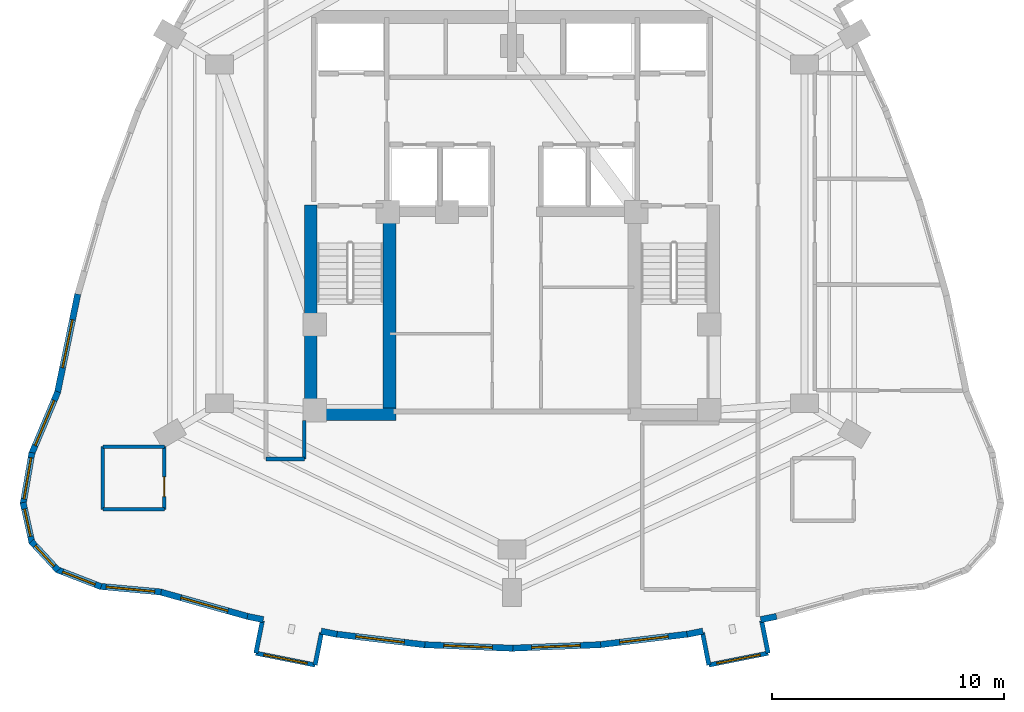
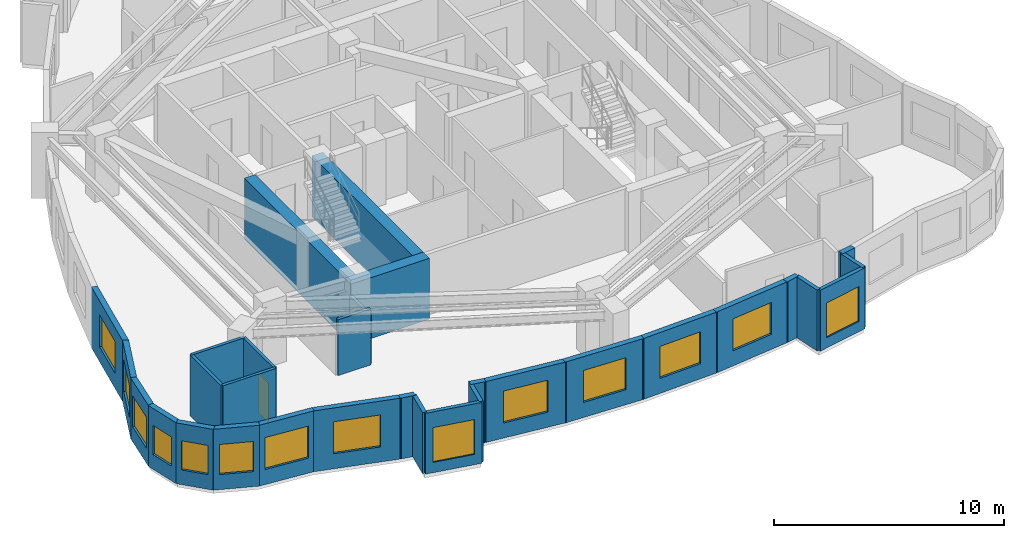
# One storey, part 3 of 8: 31 walls, 14 windows, 1 door, 15 openings.
"""IFC4 building model written with IfcOpenShell, lengths in metres."""

from ifc_helpers import new_model, si_unit, direction, frame, frame_2d, origin, place, context, subcontext, project, spatial, rectangle, extrude, material, layer, layer_set, type_object, element, fill, save


model = new_model("IFC4")

# Units and contexts
model_context = context("Model", 3, precision=1e-05, world=origin(), true_north=direction((0.0, 1.0)))
body_context = subcontext(model_context, "Body", "Model", "MODEL_VIEW")
ifc_project = project(units=[si_unit("LENGTHUNIT", "METRE"), si_unit("AREAUNIT", "SQUARE_METRE"), si_unit("VOLUMEUNIT", "CUBIC_METRE"), si_unit("PLANEANGLEUNIT", "RADIAN"), si_unit("MASSUNIT", "GRAM", prefix="KILO")], contexts=[model_context])

# Site, building, storey
site_placement = place(None, origin())
site = spatial("IfcSite", under=ifc_project, at=site_placement, CompositionType="ELEMENT")
building_placement = place(site_placement, origin())
building = spatial("IfcBuilding", under=site, at=building_placement, Name="Miruveldt Soraemaru", CompositionType="ELEMENT")
storey_placement = place(building_placement, frame((0.0, 0.0, 177.39990234375)))
storey = spatial("IfcBuildingStorey", under=building, at=storey_placement, Name="L49", CompositionType="ELEMENT", Elevation=177.39990234375)

# Walls
ifc_material_1 = material(Name="White powder-coated aluminium EN AW-6060 T6", Category="aluminium")
ifc_layer_1 = layer(ifc_material_1, 0.18994140625, Name="White powder-coated aluminium EN AW-6060 T6", Category="aluminium")
ifc_layer_set_1 = layer_set([ifc_layer_1], Name="White powder-coated aluminium EN AW-6060 T6")
wall_type_1 = type_object("IfcWallType", Name="WALL-BAY-ALU190", PredefinedType="SOLIDWALL", material=ifc_layer_set_1)
for number, where, z_axis, x_axis, name in (
    (1, (33.243896484375, 26.433349609375, 0.0), (0.0, 0.0, 1.0), (-0.195984352603, -0.980607022989, 0.0), "L49 Bay Window Side Cheek 1L"),
    (2, (35.51416015625, 24.526123046875, 0.0), (0.0, 0.0, 1.0), (0.195984352603, 0.980607022989, 0.0), "L49 Bay Window Side Cheek 1R"),
):
    element("IfcWall", number, at=place(storey_placement, frame(where, z_axis=z_axis, x_axis=x_axis)), inside=storey, type_object=wall_type_1, Name=name, PredefinedType="SOLIDWALL", context=body_context, shape_type="SweptSolid", body=[
        extrude(rectangle(XDim=1.425048828125, YDim=0.18994140625, at=frame_2d((0.71240234375, 0.0))), origin(), (0.0, 0.0, 1.0), 3.235107421875),
    ])

# Wall, opening, window
wall_1_placement = place(storey_placement, frame((32.964599609375, 25.035888671875, 0.0), z_axis=(0.0, 0.0, 1.0), x_axis=(0.980591508741, -0.196061962104, 0.0)))
wall_1 = element("IfcWall", 3, at=wall_1_placement, inside=storey, type_object=wall_type_1, Name="L49 Bay Window Front Frame 1", PredefinedType="SOLIDWALL", context=body_context, shape_type="SweptSolid", body=[
    extrude(rectangle(XDim=2.60009765625, YDim=0.18994140625, at=frame_2d((1.300048828125, 0.0))), origin(), (0.0, 0.0, 1.0), 3.235107421875),
])
opening_1_placement = place(wall_1_placement, frame((0.35009765625, 0.0, 0.550048828125)))
opening_1 = element("IfcOpeningElement", 4, at=opening_1_placement, cuts=wall_1, Name="Opening WN-6", PredefinedType="OPENING", context=body_context, shape_type="SweptSolid", body=[
    extrude(rectangle(XDim=1.89990234375, YDim=1.85009765625, at=frame_2d((0.949951171875, 0.925048828125))), frame((0.0, 0.10498046875, 0.0), z_axis=(0.0, -1.0, 0.0), x_axis=(1.0, 0.0, 0.0)), (0.0, 0.0, 1.0), 0.2099609375),
])
ifc_material_2 = material(Name="Triple low-e insulated glazing", Category="glass")
window_type_1 = type_object("IfcWindowType", Name="WIN-BAYW-1900x1850", PartitioningType="SINGLE_PANEL", PredefinedType="WINDOW", material=ifc_material_2)
window_1_placement = place(opening_1_placement, origin())
window_1 = element("IfcWindow", 5, at=window_1_placement, inside=storey, type_object=window_type_1, Name="L49 Projecting Bay Window 1", OverallHeight=1.85009765625, OverallWidth=1.89990234375, PartitioningType="SINGLE_PANEL", PredefinedType="WINDOW", context=body_context, shape_type="SweptSolid", body=[
    extrude(rectangle(XDim=1.89990234375, YDim=1.85009765625, at=frame_2d((0.949951171875, 0.925048828125))), frame((0.0, 0.030029296875, 0.0), z_axis=(0.0, -1.0, 0.0), x_axis=(1.0, 0.0, 0.0)), (0.0, 0.0, 1.0), 0.06005859375),
])
fill(opening_1, window_1)

# Walls
for number, where, z_axis, x_axis, name in (
    (6, (52.20654296875, 25.923583984375, 0.0), (0.0, 0.0, 1.0), (0.195984352603, -0.980607022989, 0.0), "L49 Bay Window Side Cheek 2L"),
    (7, (55.035400390625, 25.035888671875, 0.0), (0.0, 0.0, 1.0), (-0.195984352603, 0.980607022989, 0.0), "L49 Bay Window Side Cheek 2R"),
):
    element("IfcWall", number, at=place(storey_placement, frame(where, z_axis=z_axis, x_axis=x_axis)), inside=storey, type_object=wall_type_1, Name=name, PredefinedType="SOLIDWALL", context=body_context, shape_type="SweptSolid", body=[
        extrude(rectangle(XDim=1.425048828125, YDim=0.18994140625, at=frame_2d((0.71240234375, 0.0))), origin(), (0.0, 0.0, 1.0), 3.235107421875),
    ])

# Wall, opening, window
wall_2_placement = place(storey_placement, frame((52.48583984375, 24.526123046875, 0.0), z_axis=(0.0, 0.0, 1.0), x_axis=(0.980591508741, 0.196061962104, 0.0)))
wall_2 = element("IfcWall", 8, at=wall_2_placement, inside=storey, type_object=wall_type_1, Name="L49 Bay Window Front Frame 2", PredefinedType="SOLIDWALL", context=body_context, shape_type="SweptSolid", body=[
    extrude(rectangle(XDim=2.60009765625, YDim=0.18994140625, at=frame_2d((1.300048828125, 0.0))), origin(), (0.0, 0.0, 1.0), 3.235107421875),
])
opening_2_placement = place(wall_2_placement, frame((0.35009765625, 0.0, 0.550048828125)))
opening_2 = element("IfcOpeningElement", 9, at=opening_2_placement, cuts=wall_2, Name="Opening WN-6", PredefinedType="OPENING", context=body_context, shape_type="SweptSolid", body=[
    extrude(rectangle(XDim=1.89990234375, YDim=1.85009765625, at=frame_2d((0.949951171875, 0.925048828125))), frame((0.0, 0.10498046875, 0.0), z_axis=(0.0, -1.0, 0.0), x_axis=(1.0, 0.0, 0.0)), (0.0, 0.0, 1.0), 0.2099609375),
])
window_2_placement = place(opening_2_placement, origin())
window_2 = element("IfcWindow", 10, at=window_2_placement, inside=storey, type_object=window_type_1, Name="L49 Projecting Bay Window 2", OverallHeight=1.85009765625, OverallWidth=1.89990234375, PartitioningType="SINGLE_PANEL", PredefinedType="WINDOW", context=body_context, shape_type="SweptSolid", body=[
    extrude(rectangle(XDim=1.89990234375, YDim=1.85009765625, at=frame_2d((0.949951171875, 0.925048828125))), frame((0.0, 0.030029296875, 0.0), z_axis=(0.0, -1.0, 0.0), x_axis=(1.0, 0.0, 0.0)), (0.0, 0.0, 1.0), 0.06005859375),
])
fill(opening_2, window_2)

# Walls
ifc_material_3 = material(Name="Concrete C70/85 (70 MPa)", Category="concrete")
ifc_layer_2 = layer(ifc_material_3, 0.550048828125, Name="Concrete C70/85 (70 MPa)", Category="concrete")
ifc_layer_set_2 = layer_set([ifc_layer_2], Name="Concrete C70/85 (70 MPa)")
wall_type_2 = type_object("IfcWallType", Name="WALL-CW-550", PredefinedType="SHEAR", material=ifc_layer_set_2)
wall_3_placement = place(storey_placement, frame((35.050048828125, 35.324951171875, 0.0), z_axis=(0.0, 0.0, 1.0), x_axis=(1.0, 0.0, 0.0)))
element("IfcWall", 11, at=wall_3_placement, inside=storey, type_object=wall_type_2, Name="L49 Central Core Shear Wall S1", PredefinedType="SHEAR", context=body_context, shape_type="SweptSolid", body=[
    extrude(rectangle(XDim=3.949951171875, YDim=0.550048828125, at=frame_2d((1.97509765625, 0.0))), origin(), (0.0, 0.0, 1.0), 3.235107421875),
])
wall_4_placement = place(storey_placement, frame((35.324951171875, 35.050048828125, 0.0), z_axis=(0.0, 0.0, 1.0), x_axis=(0.0, 1.0, 0.0)))
element("IfcWall", 12, at=wall_4_placement, inside=storey, type_object=wall_type_2, Name="L49 Central Core Shear Wall W1", PredefinedType="SHEAR", context=body_context, shape_type="SweptSolid", body=[
    extrude(rectangle(XDim=9.300048828125, YDim=0.550048828125, at=frame_2d((4.64990234375, 0.0))), origin(), (0.0, 0.0, 1.0), 3.235107421875),
])
wall_5_placement = place(storey_placement, frame((38.72509765625, 35.39990234375, 0.0), z_axis=(0.0, 0.0, 1.0), x_axis=(0.0, 1.0, 0.0)))
element("IfcWall", 13, at=wall_5_placement, inside=storey, type_object=wall_type_2, Name="L49 Central Core Shear Wall SW-INT", PredefinedType="SHEAR", context=body_context, shape_type="SweptSolid", body=[
    extrude(rectangle(XDim=8.9501953125, YDim=0.550048828125, at=frame_2d((4.47509765625, 0.0))), origin(), (0.0, 0.0, 1.0), 3.235107421875),
])

# Wall, opening, window
ifc_material_4 = material(Name="Precast concrete C45/55 (45 MPa)", Category="concrete")
ifc_layer_3 = layer(ifc_material_4, 0.27001953125, Name="Precast concrete C45/55 (45 MPa)", Category="concrete")
ifc_layer_set_3 = layer_set([ifc_layer_3], Name="Precast concrete C45/55 (45 MPa)")
wall_type_3 = type_object("IfcWallType", Name="WALL-EXT-PC270", PredefinedType="SOLIDWALL", material=ifc_layer_set_3)
wall_6_placement = place(storey_placement, frame((25.2890625, 40.505615234375, 0.0), z_axis=(0.0, 0.0, 1.0), x_axis=(-0.201622920586, -0.979463219266, 0.0)))
wall_6 = element("IfcWall", 14, at=wall_6_placement, inside=storey, type_object=wall_type_3, Name="L49 Precast Concrete Facade Wall 14", PredefinedType="SOLIDWALL", context=body_context, shape_type="SweptSolid", body=[
    extrude(rectangle(XDim=4.36279296875, YDim=0.27001953125, at=frame_2d((2.181396484375, 0.0))), origin(), (0.0, 0.0, 1.0), 3.235107421875),
])
opening_3_placement = place(wall_6_placement, frame((1.131103515625, 0.0, 0.800048828125)))
opening_3 = element("IfcOpeningElement", 15, at=opening_3_placement, cuts=wall_6, Name="Opening WN-1", PredefinedType="OPENING", context=body_context, shape_type="SweptSolid", body=[
    extrude(rectangle(XDim=2.10009765625, YDim=1.699951171875, at=frame_2d((1.050048828125, 0.85009765625))), frame((0.0, 0.14501953125, 0.0), z_axis=(0.0, -1.0, 0.0), x_axis=(1.0, 0.0, 0.0)), (0.0, 0.0, 1.0), 0.2900390625),
])
window_type_2 = type_object("IfcWindowType", Name="WIN-PUNCH-2100x1700", PartitioningType="SINGLE_PANEL", PredefinedType="WINDOW", material=ifc_material_2)
window_3_placement = place(opening_3_placement, origin())
window_3 = element("IfcWindow", 16, at=window_3_placement, inside=storey, type_object=window_type_2, Name="L49 Punched Triple-Glazed Window 14.1", OverallHeight=1.699951171875, OverallWidth=2.10009765625, PartitioningType="SINGLE_PANEL", PredefinedType="WINDOW", context=body_context, shape_type="SweptSolid", body=[
    extrude(rectangle(XDim=2.10009765625, YDim=1.699951171875, at=frame_2d((1.050048828125, 0.85009765625))), frame((0.0, 0.030029296875, 0.0), z_axis=(0.0, -1.0, 0.0), x_axis=(1.0, 0.0, 0.0)), (0.0, 0.0, 1.0), 0.06005859375),
])
fill(opening_3, window_3)

wall_7_placement = place(storey_placement, frame((24.43017578125, 36.298828125, 0.0), z_axis=(0.0, 0.0, 1.0), x_axis=(-0.388625089354, -0.921395973469, 0.0)))
wall_7 = element("IfcWall", 17, at=wall_7_placement, inside=storey, type_object=wall_type_3, Name="L49 Precast Concrete Facade Wall 15", PredefinedType="SOLIDWALL", context=body_context, shape_type="SweptSolid", body=[
    extrude(rectangle(XDim=2.919921875, YDim=0.27001953125, at=frame_2d((1.4599609375, 0.0))), origin(), (0.0, 0.0, 1.0), 3.235107421875),
])
opening_4_placement = place(wall_7_placement, frame((0.409912109375, 0.0, 0.800048828125)))
opening_4 = element("IfcOpeningElement", 18, at=opening_4_placement, cuts=wall_7, Name="Opening WN-1", PredefinedType="OPENING", context=body_context, shape_type="SweptSolid", body=[
    extrude(rectangle(XDim=2.10009765625, YDim=1.699951171875, at=frame_2d((1.050048828125, 0.85009765625))), frame((0.0, 0.14501953125, 0.0), z_axis=(0.0, -1.0, 0.0), x_axis=(1.0, 0.0, 0.0)), (0.0, 0.0, 1.0), 0.2900390625),
])
window_4_placement = place(opening_4_placement, origin())
window_4 = element("IfcWindow", 19, at=window_4_placement, inside=storey, type_object=window_type_2, Name="L49 Punched Triple-Glazed Window 15.1", OverallHeight=1.699951171875, OverallWidth=2.10009765625, PartitioningType="SINGLE_PANEL", PredefinedType="WINDOW", context=body_context, shape_type="SweptSolid", body=[
    extrude(rectangle(XDim=2.10009765625, YDim=1.699951171875, at=frame_2d((1.050048828125, 0.85009765625))), frame((0.0, 0.030029296875, 0.0), z_axis=(0.0, -1.0, 0.0), x_axis=(1.0, 0.0, 0.0)), (0.0, 0.0, 1.0), 0.06005859375),
])
fill(opening_4, window_4)

wall_8_placement = place(storey_placement, frame((23.31494140625, 33.675048828125, 0.0), z_axis=(0.0, 0.0, 1.0), x_axis=(-0.169358284126, -0.98555455029, 0.0)))
wall_8 = element("IfcWall", 20, at=wall_8_placement, inside=storey, type_object=wall_type_3, Name="L49 Precast Concrete Facade Wall 16", PredefinedType="SOLIDWALL", context=body_context, shape_type="SweptSolid", body=[
    extrude(rectangle(XDim=2.250244140625, YDim=0.27001953125, at=frame_2d((1.125, 0.0))), origin(), (0.0, 0.0, 1.0), 3.235107421875),
])
opening_5_placement = place(wall_8_placement, frame((0.22509765625, 0.0, 0.800048828125)))
opening_5 = element("IfcOpeningElement", 21, at=opening_5_placement, cuts=wall_8, Name="Opening WN-2", PredefinedType="OPENING", context=body_context, shape_type="SweptSolid", body=[
    extrude(rectangle(XDim=1.800048828125, YDim=1.64990234375, at=frame_2d((0.89990234375, 0.824951171875))), frame((0.0, 0.14501953125, 0.0), z_axis=(0.0, -1.0, 0.0), x_axis=(1.0, 0.0, 0.0)), (0.0, 0.0, 1.0), 0.2900390625),
])
window_type_3 = type_object("IfcWindowType", Name="WIN-PUNCH-1800x1650", PartitioningType="SINGLE_PANEL", PredefinedType="WINDOW", material=ifc_material_2)
window_5_placement = place(opening_5_placement, origin())
window_5 = element("IfcWindow", 22, at=window_5_placement, inside=storey, type_object=window_type_3, Name="L49 Punched Triple-Glazed Window 16.1", OverallHeight=1.64990234375, OverallWidth=1.800048828125, PartitioningType="SINGLE_PANEL", PredefinedType="WINDOW", context=body_context, shape_type="SweptSolid", body=[
    extrude(rectangle(XDim=1.800048828125, YDim=1.64990234375, at=frame_2d((0.89990234375, 0.824951171875))), frame((0.0, 0.030029296875, 0.0), z_axis=(0.0, -1.0, 0.0), x_axis=(1.0, 0.0, 0.0)), (0.0, 0.0, 1.0), 0.06005859375),
])
fill(opening_5, window_5)

wall_9_placement = place(storey_placement, frame((22.93212890625, 31.52587890625, 0.0), z_axis=(0.0, 0.0, 1.0), x_axis=(0.215842043801, -0.976428293387, 0.0)))
wall_9 = element("IfcWall", 23, at=wall_9_placement, inside=storey, type_object=wall_type_3, Name="L49 Precast Concrete Facade Wall 17", PredefinedType="SOLIDWALL", context=body_context, shape_type="SweptSolid", body=[
    extrude(rectangle(XDim=1.781494140625, YDim=0.27001953125, at=frame_2d((0.890625, 0.0))), origin(), (0.0, 0.0, 1.0), 3.235107421875),
])
opening_6_placement = place(wall_9_placement, frame((0.291015625, 0.0, 0.780029296875)))
opening_6 = element("IfcOpeningElement", 24, at=opening_6_placement, cuts=wall_9, Name="Opening WN-4", PredefinedType="OPENING", context=body_context, shape_type="SweptSolid", body=[
    extrude(rectangle(XDim=1.199951171875, YDim=1.550048828125, at=frame_2d((0.60009765625, 0.77490234375))), frame((0.0, 0.14501953125, 0.0), z_axis=(0.0, -1.0, 0.0), x_axis=(1.0, 0.0, 0.0)), (0.0, 0.0, 1.0), 0.2900390625),
])
window_type_4 = type_object("IfcWindowType", Name="WIN-PUNCH-1200x1550", PartitioningType="SINGLE_PANEL", PredefinedType="WINDOW", material=ifc_material_2)
window_6_placement = place(opening_6_placement, origin())
window_6 = element("IfcWindow", 25, at=window_6_placement, inside=storey, type_object=window_type_4, Name="L49 Punched Triple-Glazed Window 17.1", OverallHeight=1.550048828125, OverallWidth=1.199951171875, PartitioningType="SINGLE_PANEL", PredefinedType="WINDOW", context=body_context, shape_type="SweptSolid", body=[
    extrude(rectangle(XDim=1.199951171875, YDim=1.550048828125, at=frame_2d((0.60009765625, 0.77490234375))), frame((0.0, 0.030029296875, 0.0), z_axis=(0.0, -1.0, 0.0), x_axis=(1.0, 0.0, 0.0)), (0.0, 0.0, 1.0), 0.06005859375),
])
fill(opening_6, window_6)

wall_10_placement = place(storey_placement, frame((23.28515625, 29.84619140625, 0.0), z_axis=(0.0, 0.0, 1.0), x_axis=(0.680164360524, -0.73305964469, 0.0)))
wall_10 = element("IfcWall", 26, at=wall_10_placement, inside=storey, type_object=wall_type_3, Name="L49 Precast Concrete Facade Wall 18", PredefinedType="SOLIDWALL", context=body_context, shape_type="SweptSolid", body=[
    extrude(rectangle(XDim=1.698486328125, YDim=0.27001953125, at=frame_2d((0.84912109375, 0.0))), origin(), (0.0, 0.0, 1.0), 3.235107421875),
])
opening_7_placement = place(wall_10_placement, frame((0.2490234375, 0.0, 0.780029296875)))
opening_7 = element("IfcOpeningElement", 27, at=opening_7_placement, cuts=wall_10, Name="Opening WN-4", PredefinedType="OPENING", context=body_context, shape_type="SweptSolid", body=[
    extrude(rectangle(XDim=1.199951171875, YDim=1.550048828125, at=frame_2d((0.60009765625, 0.77490234375))), frame((0.0, 0.14501953125, 0.0), z_axis=(0.0, -1.0, 0.0), x_axis=(1.0, 0.0, 0.0)), (0.0, 0.0, 1.0), 0.2900390625),
])
window_7_placement = place(opening_7_placement, origin())
window_7 = element("IfcWindow", 28, at=window_7_placement, inside=storey, type_object=window_type_4, Name="L49 Punched Triple-Glazed Window 18.1", OverallHeight=1.550048828125, OverallWidth=1.199951171875, PartitioningType="SINGLE_PANEL", PredefinedType="WINDOW", context=body_context, shape_type="SweptSolid", body=[
    extrude(rectangle(XDim=1.199951171875, YDim=1.550048828125, at=frame_2d((0.60009765625, 0.77490234375))), frame((0.0, 0.030029296875, 0.0), z_axis=(0.0, -1.0, 0.0), x_axis=(1.0, 0.0, 0.0)), (0.0, 0.0, 1.0), 0.06005859375),
])
fill(opening_7, window_7)

wall_11_placement = place(storey_placement, frame((24.384033203125, 28.639404296875, 0.0), z_axis=(0.0, 0.0, 1.0), x_axis=(0.93231051002, -0.361658834964, 0.0)))
wall_11 = element("IfcWall", 29, at=wall_11_placement, inside=storey, type_object=wall_type_3, Name="L49 Precast Concrete Facade Wall 19", PredefinedType="SOLIDWALL", context=body_context, shape_type="SweptSolid", body=[
    extrude(rectangle(XDim=2.050048828125, YDim=0.27001953125, at=frame_2d((1.02490234375, 0.0))), origin(), (0.0, 0.0, 1.0), 3.235107421875),
])
opening_8_placement = place(wall_11_placement, frame((0.27490234375, 0.0, 0.800048828125)))
opening_8 = element("IfcOpeningElement", 30, at=opening_8_placement, cuts=wall_11, Name="Opening WN-3", PredefinedType="OPENING", context=body_context, shape_type="SweptSolid", body=[
    extrude(rectangle(XDim=1.5, YDim=1.60009765625, at=frame_2d((0.75, 0.800048828125))), frame((0.0, 0.14501953125, 0.0), z_axis=(0.0, -1.0, 0.0), x_axis=(1.0, 0.0, 0.0)), (0.0, 0.0, 1.0), 0.2900390625),
])
window_type_5 = type_object("IfcWindowType", Name="WIN-PUNCH-1500x1600", PartitioningType="SINGLE_PANEL", PredefinedType="WINDOW", material=ifc_material_2)
window_8_placement = place(opening_8_placement, origin())
window_8 = element("IfcWindow", 31, at=window_8_placement, inside=storey, type_object=window_type_5, Name="L49 Punched Triple-Glazed Window 19.1", OverallHeight=1.60009765625, OverallWidth=1.5, PartitioningType="SINGLE_PANEL", PredefinedType="WINDOW", context=body_context, shape_type="SweptSolid", body=[
    extrude(rectangle(XDim=1.5, YDim=1.60009765625, at=frame_2d((0.75, 0.800048828125))), frame((0.0, 0.030029296875, 0.0), z_axis=(0.0, -1.0, 0.0), x_axis=(1.0, 0.0, 0.0)), (0.0, 0.0, 1.0), 0.06005859375),
])
fill(opening_8, window_8)

wall_12_placement = place(storey_placement, frame((26.227783203125, 27.913818359375, 0.0), z_axis=(0.0, 0.0, 1.0), x_axis=(0.99576306711, -0.091956044829, 0.0)))
wall_12 = element("IfcWall", 32, at=wall_12_placement, inside=storey, type_object=wall_type_3, Name="L49 Precast Concrete Facade Wall 20", PredefinedType="SOLIDWALL", context=body_context, shape_type="SweptSolid", body=[
    extrude(rectangle(XDim=2.66552734375, YDim=0.27001953125, at=frame_2d((1.332763671875, 0.0))), origin(), (0.0, 0.0, 1.0), 3.235107421875),
])
opening_9_placement = place(wall_12_placement, frame((0.282958984375, 0.0, 0.800048828125)))
opening_9 = element("IfcOpeningElement", 33, at=opening_9_placement, cuts=wall_12, Name="Opening WN-1", PredefinedType="OPENING", context=body_context, shape_type="SweptSolid", body=[
    extrude(rectangle(XDim=2.10009765625, YDim=1.699951171875, at=frame_2d((1.050048828125, 0.85009765625))), frame((0.0, 0.14501953125, 0.0), z_axis=(0.0, -1.0, 0.0), x_axis=(1.0, 0.0, 0.0)), (0.0, 0.0, 1.0), 0.2900390625),
])
window_9_placement = place(opening_9_placement, origin())
window_9 = element("IfcWindow", 34, at=window_9_placement, inside=storey, type_object=window_type_2, Name="L49 Punched Triple-Glazed Window 20.1", OverallHeight=1.699951171875, OverallWidth=2.10009765625, PartitioningType="SINGLE_PANEL", PredefinedType="WINDOW", context=body_context, shape_type="SweptSolid", body=[
    extrude(rectangle(XDim=2.10009765625, YDim=1.699951171875, at=frame_2d((1.050048828125, 0.85009765625))), frame((0.0, 0.030029296875, 0.0), z_axis=(0.0, -1.0, 0.0), x_axis=(1.0, 0.0, 0.0)), (0.0, 0.0, 1.0), 0.06005859375),
])
fill(opening_9, window_9)

wall_13_placement = place(storey_placement, frame((28.8134765625, 27.68115234375, 0.0), z_axis=(0.0, 0.0, 1.0), x_axis=(0.962980483018, -0.269571121093, 0.0)))
wall_13 = element("IfcWall", 35, at=wall_13_placement, inside=storey, type_object=wall_type_3, Name="L49 Precast Concrete Facade Wall 21", PredefinedType="SOLIDWALL", context=body_context, shape_type="SweptSolid", body=[
    extrude(rectangle(XDim=4.00390625, YDim=0.27001953125, at=frame_2d((2.001953125, 0.0))), origin(), (0.0, 0.0, 1.0), 3.235107421875),
])
opening_10_placement = place(wall_13_placement, frame((0.951904296875, 0.0, 0.800048828125)))
opening_10 = element("IfcOpeningElement", 36, at=opening_10_placement, cuts=wall_13, Name="Opening WN-1", PredefinedType="OPENING", context=body_context, shape_type="SweptSolid", body=[
    extrude(rectangle(XDim=2.10009765625, YDim=1.699951171875, at=frame_2d((1.050048828125, 0.85009765625))), frame((0.0, 0.14501953125, 0.0), z_axis=(0.0, -1.0, 0.0), x_axis=(1.0, 0.0, 0.0)), (0.0, 0.0, 1.0), 0.2900390625),
])
window_10_placement = place(opening_10_placement, origin())
window_10 = element("IfcWindow", 37, at=window_10_placement, inside=storey, type_object=window_type_2, Name="L49 Punched Triple-Glazed Window 21.1", OverallHeight=1.699951171875, OverallWidth=2.10009765625, PartitioningType="SINGLE_PANEL", PredefinedType="WINDOW", context=body_context, shape_type="SweptSolid", body=[
    extrude(rectangle(XDim=2.10009765625, YDim=1.699951171875, at=frame_2d((1.050048828125, 0.85009765625))), frame((0.0, 0.030029296875, 0.0), z_axis=(0.0, -1.0, 0.0), x_axis=(1.0, 0.0, 0.0)), (0.0, 0.0, 1.0), 0.06005859375),
])
fill(opening_10, window_10)

# Walls
for number, where, z_axis, x_axis, name in (
    (38, (32.60107421875, 26.617919921875, 0.0), (0.0, 0.0, 1.0), (0.980553708883, -0.196250921006, 0.0), "L49 Precast Pier Wall 22A"),
    (39, (35.77490234375, 25.9833984375, 0.0), (0.0, 0.0, 1.0), (0.980553708883, -0.196250921006, 0.0), "L49 Precast Pier Wall 22B"),
):
    element("IfcWall", number, at=place(storey_placement, frame(where, z_axis=z_axis, x_axis=x_axis)), inside=storey, type_object=wall_type_3, Name=name, PredefinedType="SOLIDWALL", context=body_context, shape_type="SweptSolid", body=[
        extrude(rectangle(XDim=0.696533203125, YDim=0.27001953125, at=frame_2d((0.34814453125, 0.0))), origin(), (0.0, 0.0, 1.0), 3.235107421875),
    ])

# Wall, opening, window
wall_14_placement = place(storey_placement, frame((36.388916015625, 25.857666015625, 0.0), z_axis=(0.0, 0.0, 1.0), x_axis=(0.992877730458, -0.119137787289, 0.0)))
wall_14 = element("IfcWall", 40, at=wall_14_placement, inside=storey, type_object=wall_type_3, Name="L49 Precast Concrete Facade Wall 23", PredefinedType="SOLIDWALL", context=body_context, shape_type="SweptSolid", body=[
    extrude(rectangle(XDim=3.88525390625, YDim=0.27001953125, at=frame_2d((1.942626953125, 0.0))), origin(), (0.0, 0.0, 1.0), 3.235107421875),
])
opening_11_placement = place(wall_14_placement, frame((0.89306640625, 0.0, 0.800048828125)))
opening_11 = element("IfcOpeningElement", 41, at=opening_11_placement, cuts=wall_14, Name="Opening WN-1", PredefinedType="OPENING", context=body_context, shape_type="SweptSolid", body=[
    extrude(rectangle(XDim=2.10009765625, YDim=1.699951171875, at=frame_2d((1.050048828125, 0.85009765625))), frame((0.0, 0.14501953125, 0.0), z_axis=(0.0, -1.0, 0.0), x_axis=(1.0, 0.0, 0.0)), (0.0, 0.0, 1.0), 0.2900390625),
])
window_11_placement = place(opening_11_placement, origin())
window_11 = element("IfcWindow", 42, at=window_11_placement, inside=storey, type_object=window_type_2, Name="L49 Punched Triple-Glazed Window 23.1", OverallHeight=1.699951171875, OverallWidth=2.10009765625, PartitioningType="SINGLE_PANEL", PredefinedType="WINDOW", context=body_context, shape_type="SweptSolid", body=[
    extrude(rectangle(XDim=2.10009765625, YDim=1.699951171875, at=frame_2d((1.050048828125, 0.85009765625))), frame((0.0, 0.030029296875, 0.0), z_axis=(0.0, -1.0, 0.0), x_axis=(1.0, 0.0, 0.0)), (0.0, 0.0, 1.0), 0.06005859375),
])
fill(opening_11, window_11)

wall_15_placement = place(storey_placement, frame((40.1767578125, 25.400390625, 0.0), z_axis=(0.0, 0.0, 1.0), x_axis=(0.999201261705, -0.039960463039, 0.0)))
wall_15 = element("IfcWall", 43, at=wall_15_placement, inside=storey, type_object=wall_type_3, Name="L49 Precast Concrete Facade Wall 24", PredefinedType="SOLIDWALL", context=body_context, shape_type="SweptSolid", body=[
    extrude(rectangle(XDim=3.861328125, YDim=0.27001953125, at=frame_2d((1.9306640625, 0.0))), origin(), (0.0, 0.0, 1.0), 3.235107421875),
])
opening_12_placement = place(wall_15_placement, frame((0.881103515625, 0.0, 0.800048828125)))
opening_12 = element("IfcOpeningElement", 44, at=opening_12_placement, cuts=wall_15, Name="Opening WN-1", PredefinedType="OPENING", context=body_context, shape_type="SweptSolid", body=[
    extrude(rectangle(XDim=2.10009765625, YDim=1.699951171875, at=frame_2d((1.050048828125, 0.85009765625))), frame((0.0, 0.14501953125, 0.0), z_axis=(0.0, -1.0, 0.0), x_axis=(1.0, 0.0, 0.0)), (0.0, 0.0, 1.0), 0.2900390625),
])
window_12_placement = place(opening_12_placement, origin())
window_12 = element("IfcWindow", 45, at=window_12_placement, inside=storey, type_object=window_type_2, Name="L49 Punched Triple-Glazed Window 24.1", OverallHeight=1.699951171875, OverallWidth=2.10009765625, PartitioningType="SINGLE_PANEL", PredefinedType="WINDOW", context=body_context, shape_type="SweptSolid", body=[
    extrude(rectangle(XDim=2.10009765625, YDim=1.699951171875, at=frame_2d((1.050048828125, 0.85009765625))), frame((0.0, 0.030029296875, 0.0), z_axis=(0.0, -1.0, 0.0), x_axis=(1.0, 0.0, 0.0)), (0.0, 0.0, 1.0), 0.06005859375),
])
fill(opening_12, window_12)

wall_16_placement = place(storey_placement, frame((43.965087890625, 25.24609375, 0.0), z_axis=(0.0, 0.0, 1.0), x_axis=(0.999201261705, 0.039960463039, 0.0)))
wall_16 = element("IfcWall", 46, at=wall_16_placement, inside=storey, type_object=wall_type_3, Name="L49 Precast Concrete Facade Wall 25", PredefinedType="SOLIDWALL", context=body_context, shape_type="SweptSolid", body=[
    extrude(rectangle(XDim=3.861328125, YDim=0.27001953125, at=frame_2d((1.9306640625, 0.0))), origin(), (0.0, 0.0, 1.0), 3.235107421875),
])
opening_13_placement = place(wall_16_placement, frame((0.881103515625, 0.0, 0.800048828125)))
opening_13 = element("IfcOpeningElement", 47, at=opening_13_placement, cuts=wall_16, Name="Opening WN-1", PredefinedType="OPENING", context=body_context, shape_type="SweptSolid", body=[
    extrude(rectangle(XDim=2.10009765625, YDim=1.699951171875, at=frame_2d((1.050048828125, 0.85009765625))), frame((0.0, 0.14501953125, 0.0), z_axis=(0.0, -1.0, 0.0), x_axis=(1.0, 0.0, 0.0)), (0.0, 0.0, 1.0), 0.2900390625),
])
window_13_placement = place(opening_13_placement, origin())
window_13 = element("IfcWindow", 48, at=window_13_placement, inside=storey, type_object=window_type_2, Name="L49 Punched Triple-Glazed Window 25.1", OverallHeight=1.699951171875, OverallWidth=2.10009765625, PartitioningType="SINGLE_PANEL", PredefinedType="WINDOW", context=body_context, shape_type="SweptSolid", body=[
    extrude(rectangle(XDim=2.10009765625, YDim=1.699951171875, at=frame_2d((1.050048828125, 0.85009765625))), frame((0.0, 0.030029296875, 0.0), z_axis=(0.0, -1.0, 0.0), x_axis=(1.0, 0.0, 0.0)), (0.0, 0.0, 1.0), 0.06005859375),
])
fill(opening_13, window_13)

wall_17_placement = place(storey_placement, frame((47.75341796875, 25.394775390625, 0.0), z_axis=(0.0, 0.0, 1.0), x_axis=(0.992877730458, 0.119137787289, 0.0)))
wall_17 = element("IfcWall", 49, at=wall_17_placement, inside=storey, type_object=wall_type_3, Name="L49 Precast Concrete Facade Wall 26", PredefinedType="SOLIDWALL", context=body_context, shape_type="SweptSolid", body=[
    extrude(rectangle(XDim=3.88525390625, YDim=0.27001953125, at=frame_2d((1.942626953125, 0.0))), origin(), (0.0, 0.0, 1.0), 3.235107421875),
])
opening_14_placement = place(wall_17_placement, frame((0.89306640625, 0.0, 0.800048828125)))
opening_14 = element("IfcOpeningElement", 50, at=opening_14_placement, cuts=wall_17, Name="Opening WN-1", PredefinedType="OPENING", context=body_context, shape_type="SweptSolid", body=[
    extrude(rectangle(XDim=2.10009765625, YDim=1.699951171875, at=frame_2d((1.050048828125, 0.85009765625))), frame((0.0, 0.14501953125, 0.0), z_axis=(0.0, -1.0, 0.0), x_axis=(1.0, 0.0, 0.0)), (0.0, 0.0, 1.0), 0.2900390625),
])
window_14_placement = place(opening_14_placement, origin())
window_14 = element("IfcWindow", 51, at=window_14_placement, inside=storey, type_object=window_type_2, Name="L49 Punched Triple-Glazed Window 26.1", OverallHeight=1.699951171875, OverallWidth=2.10009765625, PartitioningType="SINGLE_PANEL", PredefinedType="WINDOW", context=body_context, shape_type="SweptSolid", body=[
    extrude(rectangle(XDim=2.10009765625, YDim=1.699951171875, at=frame_2d((1.050048828125, 0.85009765625))), frame((0.0, 0.030029296875, 0.0), z_axis=(0.0, -1.0, 0.0), x_axis=(1.0, 0.0, 0.0)), (0.0, 0.0, 1.0), 0.06005859375),
])
fill(opening_14, window_14)

# Walls
for number, where, z_axis, x_axis, name in (
    (52, (51.5419921875, 25.8466796875, 0.0), (0.0, 0.0, 1.0), (0.980553708883, 0.196250921006, 0.0), "L49 Precast Pier Wall 27A"),
    (53, (54.7158203125, 26.481201171875, 0.0), (0.0, 0.0, 1.0), (0.980553708883, 0.196250921006, 0.0), "L49 Precast Pier Wall 27B"),
):
    element("IfcWall", number, at=place(storey_placement, frame(where, z_axis=z_axis, x_axis=x_axis)), inside=storey, type_object=wall_type_3, Name=name, PredefinedType="SOLIDWALL", context=body_context, shape_type="SweptSolid", body=[
        extrude(rectangle(XDim=0.696533203125, YDim=0.27001953125, at=frame_2d((0.34814453125, 0.0))), origin(), (0.0, 0.0, 1.0), 3.235107421875),
    ])

# Wall, opening, door
ifc_material_5 = material(Name="Gypsum plasterboard lining", Category="gypsum")
ifc_layer_4 = layer(ifc_material_5, 0.14990234375, Name="Gypsum plasterboard lining", Category="gypsum")
ifc_layer_set_4 = layer_set([ifc_layer_4], Name="Gypsum plasterboard lining")
wall_type_4 = type_object("IfcWallType", Name="WALL-INT-PLUMB", PredefinedType="PLUMBINGWALL", material=ifc_layer_set_4)
wall_18_placement = place(storey_placement, frame((29.02001953125, 31.22998046875, 0.0), z_axis=(0.0, 0.0, 1.0), x_axis=(0.0, 1.0, 0.0)))
wall_18 = element("IfcWall", 54, at=wall_18_placement, inside=storey, type_object=wall_type_4, Name="L49 Partition Wall 25", PredefinedType="PLUMBINGWALL", context=body_context, shape_type="SweptSolid", body=[
    extrude(rectangle(XDim=2.699951171875, YDim=0.14990234375, at=frame_2d((1.35009765625, 0.0))), origin(), (0.0, 0.0, 1.0), 3.235107421875),
])
opening_15_placement = place(wall_18_placement, frame((0.550048828125, 0.0, 0.0)))
opening_15 = element("IfcOpeningElement", 55, at=opening_15_placement, cuts=wall_18, Name="Opening FD3", PredefinedType="OPENING", context=body_context, shape_type="SweptSolid", body=[
    extrude(rectangle(XDim=0.85009765625, YDim=2.10009765625, at=frame_2d((0.425048828125, 1.050048828125))), frame((0.0, 0.0849609375, 0.0), z_axis=(0.0, -1.0, 0.0), x_axis=(1.0, 0.0, 0.0)), (0.0, 0.0, 1.0), 0.169921875),
])
ifc_material_6 = material(Name="Anodised aluminium EN AW-6063 T6", Category="aluminium")
door_type = type_object("IfcDoorType", Name="DOOR-FD3-850", OperationType="NOTDEFINED", PredefinedType="DOOR", material=ifc_material_6)
door_placement = place(opening_15_placement, origin())
door = element("IfcDoor", 56, at=door_placement, inside=storey, type_object=door_type, Name="L49 Unit CL02 BTH Door", OperationType="SINGLE_SWING_LEFT", OverallHeight=2.10009765625, OverallWidth=0.85009765625, PredefinedType="DOOR", context=body_context, shape_type="SweptSolid", body=[
    extrude(rectangle(XDim=0.85009765625, YDim=2.10009765625, at=frame_2d((0.425048828125, 1.050048828125))), frame((0.0, 0.02490234375, 0.0), z_axis=(0.0, -1.0, 0.0), x_axis=(1.0, 0.0, 0.0)), (0.0, 0.0, 1.0), 0.050048828125),
])
fill(opening_15, door)

# Walls
wall_19_placement = place(storey_placement, frame((26.3701171875, 33.929931640625, 0.0), z_axis=(0.0, 0.0, 1.0), x_axis=(0.0, -1.0, 0.0)))
element("IfcWall", 57, at=wall_19_placement, inside=storey, type_object=wall_type_4, Name="L49 Partition Wall 27", PredefinedType="PLUMBINGWALL", context=body_context, shape_type="SweptSolid", body=[
    extrude(rectangle(XDim=2.699951171875, YDim=0.14990234375, at=frame_2d((1.35009765625, 0.0))), origin(), (0.0, 0.0, 1.0), 3.235107421875),
])
for number, where, z_axis, x_axis, name in (
    (58, (29.02001953125, 33.929931640625, 0.0), (0.0, 0.0, 1.0), (-1.0, 0.0, 0.0), "L49 Partition Wall 26"),
    (59, (26.3701171875, 31.22998046875, 0.0), (0.0, 0.0, 1.0), (1.0, 0.0, 0.0), "L49 Partition Wall 28"),
):
    element("IfcWall", number, at=place(storey_placement, frame(where, z_axis=z_axis, x_axis=x_axis)), inside=storey, type_object=wall_type_4, Name=name, PredefinedType="PLUMBINGWALL", context=body_context, shape_type="SweptSolid", body=[
        extrude(rectangle(XDim=2.64990234375, YDim=0.14990234375, at=frame_2d((1.324951171875, 0.0))), origin(), (0.0, 0.0, 1.0), 3.235107421875),
    ])
ifc_material_7 = material(Name="Concrete C40/50 (40 MPa)", Category="concrete")
ifc_layer_5 = layer(ifc_material_7, 0.159912109375, Name="Concrete C40/50 (40 MPa)", Category="concrete")
ifc_layer_set_5 = layer_set([ifc_layer_5], Name="Concrete C40/50 (40 MPa)")
wall_type_5 = type_object("IfcWallType", Name="WALL-INT-RC160", PredefinedType="SOLIDWALL", material=ifc_layer_set_5)
wall_20_placement = place(storey_placement, frame((33.39990234375, 33.39990234375, 0.0), z_axis=(0.0, 0.0, 1.0), x_axis=(1.0, 0.0, 0.0)))
element("IfcWall", 60, at=wall_20_placement, inside=storey, type_object=wall_type_5, Name="L49 Partition Corner Closure 2", PredefinedType="SOLIDWALL", context=body_context, shape_type="SweptSolid", body=[
    extrude(rectangle(XDim=1.650146484375, YDim=0.159912109375, at=frame_2d((0.8251953125, 0.0))), origin(), (0.0, 0.0, 1.0), 2.97314453125),
])
wall_21_placement = place(storey_placement, frame((35.050048828125, 33.39990234375, 0.0), z_axis=(0.0, 0.0, 1.0), x_axis=(0.0, 1.0, 0.0)))
element("IfcWall", 61, at=wall_21_placement, inside=storey, type_object=wall_type_5, Name="L49 Partition Corner Closure 3", PredefinedType="SOLIDWALL", context=body_context, shape_type="SweptSolid", body=[
    extrude(rectangle(XDim=1.650146484375, YDim=0.159912109375, at=frame_2d((0.8251953125, 0.0))), origin(), (0.0, 0.0, 1.0), 2.635009765625),
])

save(model, "model.ifc")
